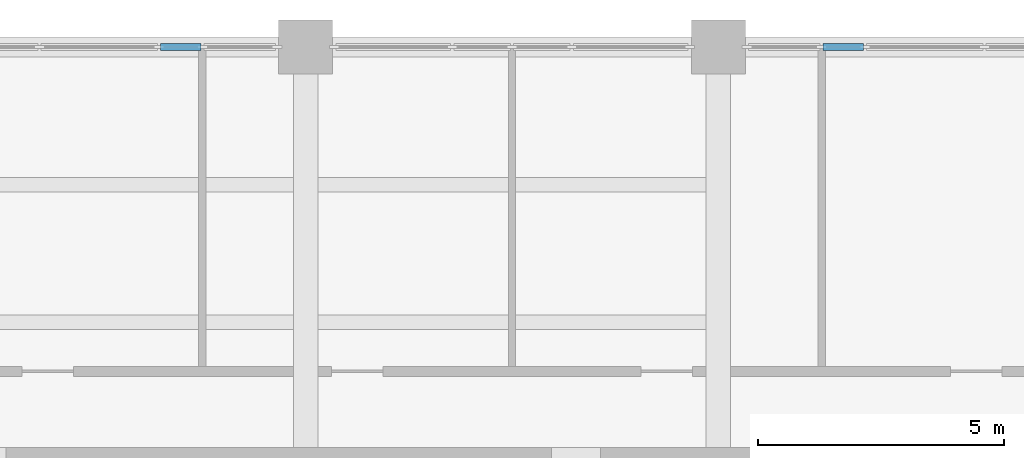
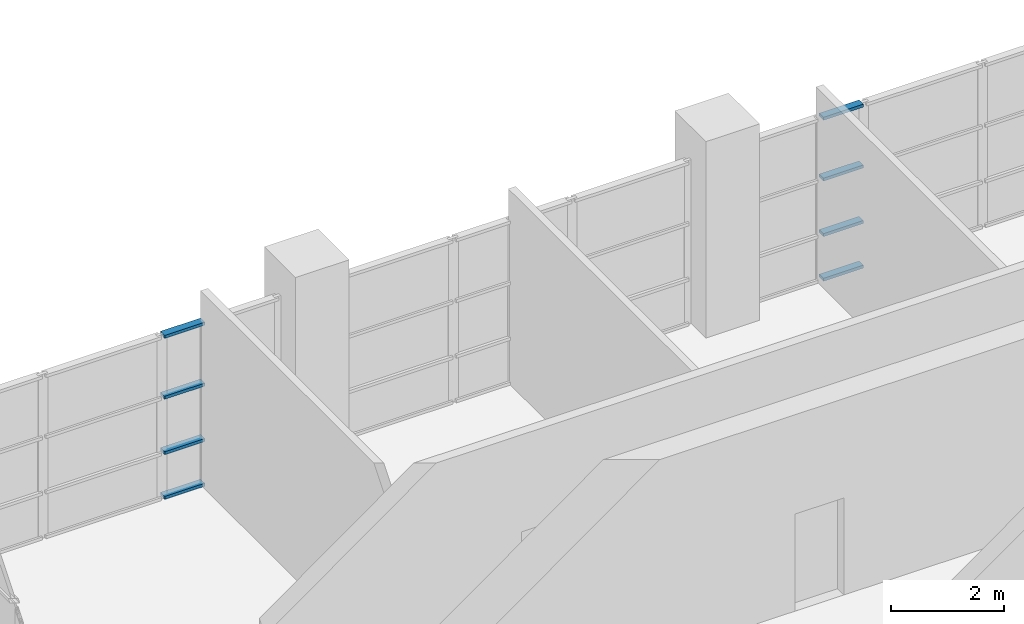
# One storey, part 14 of 64: 8 members, 2 elements without a shape of their own.
"""IFC4 building model written with IfcOpenShell, lengths in metres."""

from ifc_helpers import new_model, si_unit, direction, frame, origin, origin_2d, place, context, subcontext, project, spatial, rectangle, extrude, material, layer, layer_set, material_profile, profile_set, type_object, element, aggregate, save


model = new_model("IFC4")

# Units and contexts
model_context = context("Model", 3, precision=1e-05, world=origin(), true_north=direction((0.0, 1.0)))
body_context = subcontext(model_context, "Body", "Model", "MODEL_VIEW")
ifc_project = project(units=[si_unit("LENGTHUNIT", "METRE"), si_unit("AREAUNIT", "SQUARE_METRE"), si_unit("VOLUMEUNIT", "CUBIC_METRE"), si_unit("PLANEANGLEUNIT", "RADIAN"), si_unit("MASSUNIT", "GRAM", prefix="KILO")], contexts=[model_context])

# Site, building, storey
site_placement = place(None, origin())
site = spatial("IfcSite", under=ifc_project, at=site_placement, CompositionType="ELEMENT")
building_placement = place(site_placement, origin())
building = spatial("IfcBuilding", under=site, at=building_placement, Name="Rulbaag Community and Learning Centre", CompositionType="ELEMENT")
storey_placement = place(building_placement, frame((0.0, 0.0, 5.39990234375)))
storey = spatial("IfcBuildingStorey", under=building, at=storey_placement, Name="L01", CompositionType="ELEMENT", Elevation=5.39990234375)

# Curtain wall, members
ifc_material_1 = material(Name="Aluminium", Category="aluminium")
ifc_layer = layer(ifc_material_1, 0.14990234375)
ifc_layer_set = layer_set([ifc_layer], Name="CW-T")
curtain_wall_type = type_object("IfcCurtainWallType", Name="CW-T", PredefinedType="USERDEFINED", material=ifc_layer_set)
curtain_wall_1_placement = place(storey_placement, origin())
curtain_wall_1 = element("IfcCurtainWall", 1, at=curtain_wall_1_placement, inside=storey, type_object=curtain_wall_type, Name="GT-L01-01", ObjectType="UNITISED CURTAIN WALL", PredefinedType="USERDEFINED")
ifc_material_2 = material(Name="Aluminium transom", Category="aluminium")
ifc_material_profile = material_profile(ifc_material_2, rectangle(XDim=0.14990234375, YDim=0.06494140625, at=origin_2d()), Name="AL 65x150 T")
ifc_profile_set = profile_set([ifc_material_profile], Name="Aluminium transom")
member_type = type_object("IfcMemberType", Name="CW-T-TRN", PredefinedType="USERDEFINED", material=ifc_profile_set)
member_1_placement = place(storey_placement, frame((148.249267578125, 117.60009765625, 0.03271484375), z_axis=(1.0, 0.0, 0.0), x_axis=(0.0, 1.0, 0.0)))
member_1 = element("IfcMember", 2, at=member_1_placement, type_object=member_type, Name="GT transom 3.1", ObjectType="TRANSOM", PredefinedType="USERDEFINED", context=body_context, shape_type="SweptSolid", body=[
    extrude(rectangle(XDim=0.14990234375, YDim=0.06494140625, at=origin_2d()), origin(), (0.0, 0.0, 1.0), 0.818115234375),
])
member_2_placement = place(storey_placement, frame((148.249267578125, 117.60009765625, 1.0), z_axis=(1.0, 0.0, 0.0), x_axis=(0.0, 1.0, 0.0)))
member_2 = element("IfcMember", 3, at=member_2_placement, type_object=member_type, Name="GT transom 3.2", ObjectType="TRANSOM", PredefinedType="USERDEFINED", context=body_context, shape_type="SweptSolid", body=[
    extrude(rectangle(XDim=0.14990234375, YDim=0.06494140625, at=origin_2d()), origin(), (0.0, 0.0, 1.0), 0.818115234375),
])
member_3_placement = place(storey_placement, frame((148.249267578125, 117.60009765625, 2.2001953125), z_axis=(1.0, 0.0, 0.0), x_axis=(0.0, 1.0, 0.0)))
member_3 = element("IfcMember", 4, at=member_3_placement, type_object=member_type, Name="GT transom 3.3", ObjectType="TRANSOM", PredefinedType="USERDEFINED", context=body_context, shape_type="SweptSolid", body=[
    extrude(rectangle(XDim=0.14990234375, YDim=0.06494140625, at=origin_2d()), origin(), (0.0, 0.0, 1.0), 0.818115234375),
])
member_4_placement = place(storey_placement, frame((148.249267578125, 117.60009765625, 3.517578125), z_axis=(1.0, 0.0, 0.0), x_axis=(0.0, 1.0, 0.0)))
member_4 = element("IfcMember", 5, at=member_4_placement, type_object=member_type, Name="GT transom 3.4", ObjectType="TRANSOM", PredefinedType="USERDEFINED", context=body_context, shape_type="SweptSolid", body=[
    extrude(rectangle(XDim=0.14990234375, YDim=0.06494140625, at=origin_2d()), origin(), (0.0, 0.0, 1.0), 0.818115234375),
])
aggregate(curtain_wall_1, [member_1, member_2, member_3, member_4])

curtain_wall_2_placement = place(storey_placement, origin())
curtain_wall_2 = element("IfcCurtainWall", 6, at=curtain_wall_2_placement, inside=storey, type_object=curtain_wall_type, Name="GT-L01-03", ObjectType="UNITISED CURTAIN WALL", PredefinedType="USERDEFINED")
member_5_placement = place(storey_placement, frame((161.732421875, 117.60009765625, 0.03271484375), z_axis=(1.0, 0.0, 0.0), x_axis=(0.0, 1.0, 0.0)))
member_5 = element("IfcMember", 7, at=member_5_placement, type_object=member_type, Name="GT transom 2.1", ObjectType="TRANSOM", PredefinedType="USERDEFINED", context=body_context, shape_type="SweptSolid", body=[
    extrude(rectangle(XDim=0.14990234375, YDim=0.06494140625, at=origin_2d()), origin(), (0.0, 0.0, 1.0), 0.818359375),
])
member_6_placement = place(storey_placement, frame((161.732421875, 117.60009765625, 1.0), z_axis=(1.0, 0.0, 0.0), x_axis=(0.0, 1.0, 0.0)))
member_6 = element("IfcMember", 8, at=member_6_placement, type_object=member_type, Name="GT transom 2.2", ObjectType="TRANSOM", PredefinedType="USERDEFINED", context=body_context, shape_type="SweptSolid", body=[
    extrude(rectangle(XDim=0.14990234375, YDim=0.06494140625, at=origin_2d()), origin(), (0.0, 0.0, 1.0), 0.818359375),
])
member_7_placement = place(storey_placement, frame((161.732421875, 117.60009765625, 2.2001953125), z_axis=(1.0, 0.0, 0.0), x_axis=(0.0, 1.0, 0.0)))
member_7 = element("IfcMember", 9, at=member_7_placement, type_object=member_type, Name="GT transom 2.3", ObjectType="TRANSOM", PredefinedType="USERDEFINED", context=body_context, shape_type="SweptSolid", body=[
    extrude(rectangle(XDim=0.14990234375, YDim=0.06494140625, at=origin_2d()), origin(), (0.0, 0.0, 1.0), 0.818359375),
])
member_8_placement = place(storey_placement, frame((161.732421875, 117.60009765625, 3.517578125), z_axis=(1.0, 0.0, 0.0), x_axis=(0.0, 1.0, 0.0)))
member_8 = element("IfcMember", 10, at=member_8_placement, type_object=member_type, Name="GT transom 2.4", ObjectType="TRANSOM", PredefinedType="USERDEFINED", context=body_context, shape_type="SweptSolid", body=[
    extrude(rectangle(XDim=0.14990234375, YDim=0.06494140625, at=origin_2d()), origin(), (0.0, 0.0, 1.0), 0.818359375),
])
aggregate(curtain_wall_2, [member_5, member_6, member_7, member_8])

save(model, "model.ifc")
